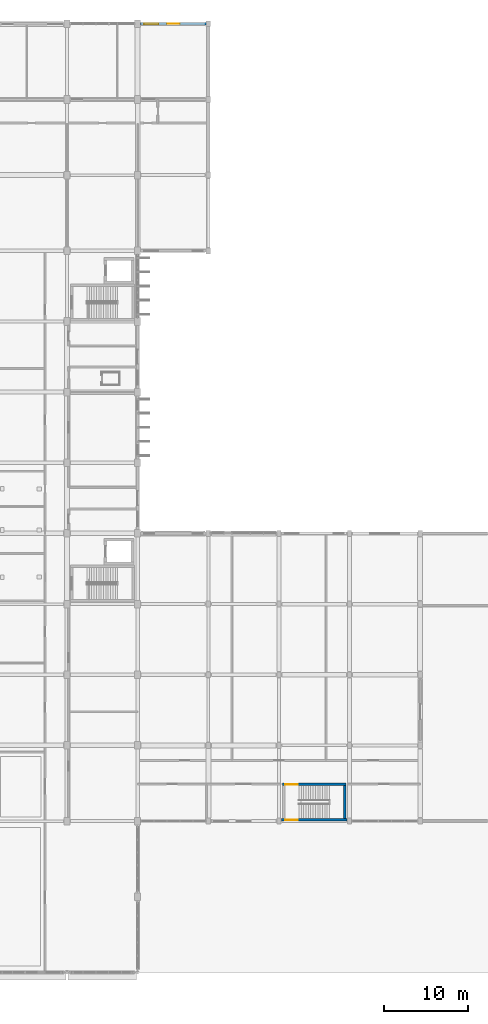
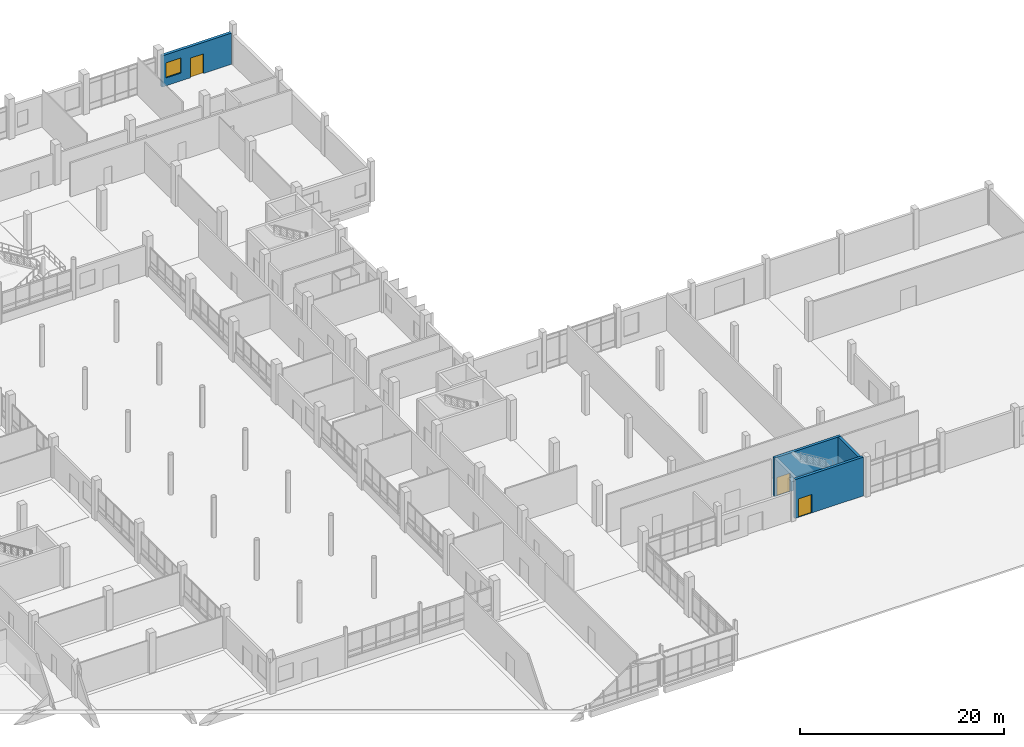
# One storey, part 82 of 95: 4 walls, 3 doors, 1 window, 4 openings.
"""IFC4 building model written with IfcOpenShell, lengths in metres."""

from ifc_helpers import new_model, si_unit, direction, frame, frame_2d, origin, place, context, subcontext, project, spatial, rectangle, extrude, material, layer, layer_set, type_object, element, fill, save


model = new_model("IFC4")

# Units and contexts
model_context = context("Model", 3, precision=1e-05, world=origin(), true_north=direction((0.0, 1.0)))
body_context = subcontext(model_context, "Body", "Model", "MODEL_VIEW")
ifc_project = project(units=[si_unit("LENGTHUNIT", "METRE"), si_unit("AREAUNIT", "SQUARE_METRE"), si_unit("VOLUMEUNIT", "CUBIC_METRE"), si_unit("PLANEANGLEUNIT", "RADIAN"), si_unit("MASSUNIT", "GRAM", prefix="KILO")], contexts=[model_context])

# Site, building, storey
site_placement = place(None, origin())
site = spatial("IfcSite", under=ifc_project, at=site_placement, CompositionType="ELEMENT")
building_placement = place(site_placement, origin())
building = spatial("IfcBuilding", under=site, at=building_placement, Name="Vireocrest Preparatory School", CompositionType="ELEMENT")
storey_placement = place(building_placement, origin())
storey = spatial("IfcBuildingStorey", under=building, at=storey_placement, Name="L00", CompositionType="ELEMENT", Elevation=0.0)

# Wall, openings, door, window
ifc_material_1 = material(Name="Precast white concrete 40 MPa", Category="concrete")
ifc_layer_1 = layer(ifc_material_1, 0.320068359375)
ifc_layer_set_1 = layer_set([ifc_layer_1], Name="Precast white concrete 40 MPa")
wall_type_1 = type_object("IfcWallType", Name="High-Tech Insulated Rainscreen External Wall 320", PredefinedType="SOLIDWALL", material=ifc_layer_set_1)
wall_1_placement = place(storey_placement, frame((109.52490234375, 112.800048828125, 0.0), z_axis=(0.0, 0.0, 1.0), x_axis=(1.0, 0.0, 0.0)))
wall_1 = element("IfcWall", 1, at=wall_1_placement, inside=storey, type_object=wall_type_1, Name="External Wall W12 EW_L00_0081", PredefinedType="SOLIDWALL", context=body_context, shape_type="SweptSolid", body=[
    extrude(rectangle(XDim=7.85009765625, YDim=0.320068359375, at=frame_2d((3.925048828125, 0.0))), origin(), (0.0, 0.0, 1.0), 3.719970703125),
])
opening_1_placement = place(wall_1_placement, frame((3.175048828125, 0.0, 0.0)))
opening_1 = element("IfcOpeningElement", 2, at=opening_1_placement, cuts=wall_1, Name="Opening B1", PredefinedType="OPENING", context=body_context, shape_type="SweptSolid", body=[
    extrude(rectangle(XDim=1.5, YDim=2.35009765625, at=frame_2d((0.75, 1.175048828125))), frame((0.0, 0.169921875, 0.0), z_axis=(0.0, -1.0, 0.0), x_axis=(1.0, 0.0, 0.0)), (0.0, 0.0, 1.0), 0.340087890625),
])
opening_2_placement = place(wall_1_placement, frame((0.449951171875, 0.0, 0.949951171875)))
opening_2 = element("IfcOpeningElement", 3, at=opening_2_placement, cuts=wall_1, Name="Opening WN05", PredefinedType="OPENING", context=body_context, shape_type="SweptSolid", body=[
    extrude(rectangle(XDim=1.679931640625, YDim=1.800048828125, at=frame_2d((0.83984375, 0.89990234375))), frame((0.0, 0.169921875, 0.0), z_axis=(0.0, -1.0, 0.0), x_axis=(1.0, 0.0, 0.0)), (0.0, 0.0, 1.0), 0.340087890625),
])
ifc_material_2 = material(Name="Thermally broken glazed aluminium", Category="aluminium")
door_type_1 = type_object("IfcDoorType", Name="Bicycle Hub Exterior Double Door 1500x2350", OperationType="DOUBLE_DOOR_SINGLE_SWING", PredefinedType="DOOR", material=ifc_material_2)
door_1_placement = place(opening_1_placement, origin())
door_1 = element("IfcDoor", 4, at=door_1_placement, inside=storey, type_object=door_type_1, Name="Bicycle Hub Pedestrian Entrance B1", OperationType="DOUBLE_DOOR_SINGLE_SWING", OverallHeight=2.35009765625, OverallWidth=1.5, PredefinedType="DOOR", context=body_context, shape_type="SweptSolid", body=[
    extrude(rectangle(XDim=1.5, YDim=2.35009765625, at=frame_2d((0.75, 1.175048828125))), frame((0.0, 0.02490234375, 0.0), z_axis=(0.0, -1.0, 0.0), x_axis=(1.0, 0.0, 0.0)), (0.0, 0.0, 1.0), 0.050048828125),
])
fill(opening_1, door_1)
ifc_material_3 = material(Name="Thermally broken aluminium EN AW-6063-T6", Category="aluminium")
window_type = type_object("IfcWindowType", Name="Module Classroom Window 1680x1800", PartitioningType="SINGLE_PANEL", PredefinedType="WINDOW", material=ifc_material_3)
window_placement = place(opening_2_placement, origin())
window = element("IfcWindow", 5, at=window_placement, inside=storey, type_object=window_type, Name="Window W-L00-021 (WN05)", OverallHeight=1.800048828125, OverallWidth=1.679931640625, PartitioningType="SINGLE_PANEL", PredefinedType="WINDOW", context=body_context, shape_type="SweptSolid", body=[
    extrude(rectangle(XDim=1.679931640625, YDim=1.800048828125, at=frame_2d((0.83984375, 0.89990234375))), frame((0.0, 0.030029296875, 0.0), z_axis=(0.0, -1.0, 0.0), x_axis=(1.0, 0.0, 0.0)), (0.0, 0.0, 1.0), 0.06005859375),
])
fill(opening_2, window)

# Wall, opening, door
ifc_material_4 = material(Name="Concrete 45 MPa", Category="concrete")
ifc_layer_2 = layer(ifc_material_4, 0.300048828125)
ifc_layer_set_2 = layer_set([ifc_layer_2], Name="Concrete 45 MPa")
wall_type_2 = type_object("IfcWallType", Name="Two-Hour RC Stair Shaft Shear Wall 300", PredefinedType="SHEAR", material=ifc_layer_set_2)
wall_2_placement = place(storey_placement, frame((126.324951171875, 18.14990234375, 0.0), z_axis=(0.0, 0.0, 1.0), x_axis=(1.0, 0.0, 0.0)))
wall_2 = element("IfcWall", 6, at=wall_2_placement, inside=storey, type_object=wall_type_2, Name="Stair Core Shear Wall ST6 L00-S", PredefinedType="SHEAR", context=body_context, shape_type="SweptSolid", body=[
    extrude(rectangle(XDim=7.75, YDim=0.300048828125, at=frame_2d((3.875, 0.0))), origin(), (0.0, 0.0, 1.0), 4.625),
])
opening_3_placement = place(wall_2_placement, frame((1.925048828125, 0.0, 0.0), z_axis=(0.0, 0.0, 1.0), x_axis=(-1.0, 0.0, 0.0)))
opening_3 = element("IfcOpeningElement", 7, at=opening_3_placement, cuts=wall_2, Name="Opening ED8", PredefinedType="OPENING", context=body_context, shape_type="SweptSolid", body=[
    extrude(rectangle(XDim=1.5, YDim=2.199951171875, at=frame_2d((0.75, 1.10009765625))), frame((0.0, 0.159912109375, 0.0), z_axis=(0.0, -1.0, 0.0), x_axis=(1.0, 0.0, 0.0)), (0.0, 0.0, 1.0), 0.320068359375),
])
door_2_placement = place(opening_3_placement, origin())
door_2 = element("IfcDoor", 8, at=door_2_placement, inside=storey, type_object=door_type_1, Name="Final Exit ED8 Stair ST6 Direct Exterior Discharge", OperationType="DOUBLE_DOOR_SINGLE_SWING", OverallHeight=2.199951171875, OverallWidth=1.5, PredefinedType="DOOR", context=body_context, shape_type="SweptSolid", body=[
    extrude(rectangle(XDim=1.5, YDim=2.199951171875, at=frame_2d((0.75, 1.10009765625))), frame((0.0, 0.02490234375, 0.0), z_axis=(0.0, -1.0, 0.0), x_axis=(1.0, 0.0, 0.0)), (0.0, 0.0, 1.0), 0.050048828125),
])
fill(opening_3, door_2)

wall_3_placement = place(storey_placement, frame((126.449951171875, 22.35009765625, 0.0), z_axis=(0.0, 0.0, 1.0), x_axis=(1.0, 0.0, 0.0)))
wall_3 = element("IfcWall", 9, at=wall_3_placement, inside=storey, type_object=wall_type_2, Name="Stair Core Shear Wall ST6 L00-N", PredefinedType="SHEAR", context=body_context, shape_type="SweptSolid", body=[
    extrude(rectangle(XDim=7.5, YDim=0.300048828125, at=frame_2d((3.75, 0.0))), origin(), (0.0, 0.0, 1.0), 4.625),
])
opening_4_placement = place(wall_3_placement, frame((0.300048828125, 0.0, 0.0)))
opening_4 = element("IfcOpeningElement", 10, at=opening_4_placement, cuts=wall_3, Name="Opening SD-ST6-L00", PredefinedType="OPENING", context=body_context, shape_type="SweptSolid", body=[
    extrude(rectangle(XDim=1.5, YDim=2.199951171875, at=frame_2d((0.75, 1.10009765625))), frame((0.0, 0.159912109375, 0.0), z_axis=(0.0, -1.0, 0.0), x_axis=(1.0, 0.0, 0.0)), (0.0, 0.0, 1.0), 0.320068359375),
])
ifc_material_5 = material(Name="Painted galvanized hollow steel", Category="steel")
door_type_2 = type_object("IfcDoorType", Name="Stair Enclosure Fire Door 1500x2200", OperationType="DOUBLE_DOOR_SINGLE_SWING", PredefinedType="DOOR", material=ifc_material_5)
door_3_placement = place(opening_4_placement, origin())
door_3 = element("IfcDoor", 11, at=door_3_placement, inside=storey, type_object=door_type_2, Name="Stair Enclosure Fire Door SD-ST6-L00", OperationType="DOUBLE_DOOR_SINGLE_SWING", OverallHeight=2.199951171875, OverallWidth=1.5, PredefinedType="DOOR", context=body_context, shape_type="SweptSolid", body=[
    extrude(rectangle(XDim=1.5, YDim=2.199951171875, at=frame_2d((0.75, 1.10009765625))), frame((0.0, 0.02490234375, 0.0), z_axis=(0.0, -1.0, 0.0), x_axis=(1.0, 0.0, 0.0)), (0.0, 0.0, 1.0), 0.050048828125),
])
fill(opening_4, door_3)

# Wall
wall_4_placement = place(storey_placement, frame((133.800048828125, 18.300048828125, 0.0), z_axis=(0.0, 0.0, 1.0), x_axis=(0.0, 1.0, 0.0)))
element("IfcWall", 12, at=wall_4_placement, inside=storey, type_object=wall_type_2, Name="Stair Core Shear Wall ST6 L00-E", PredefinedType="SHEAR", context=body_context, shape_type="SweptSolid", body=[
    extrude(rectangle(XDim=3.89990234375, YDim=0.300048828125, at=frame_2d((1.949951171875, 0.0))), origin(), (0.0, 0.0, 1.0), 4.625),
])

save(model, "model.ifc")
